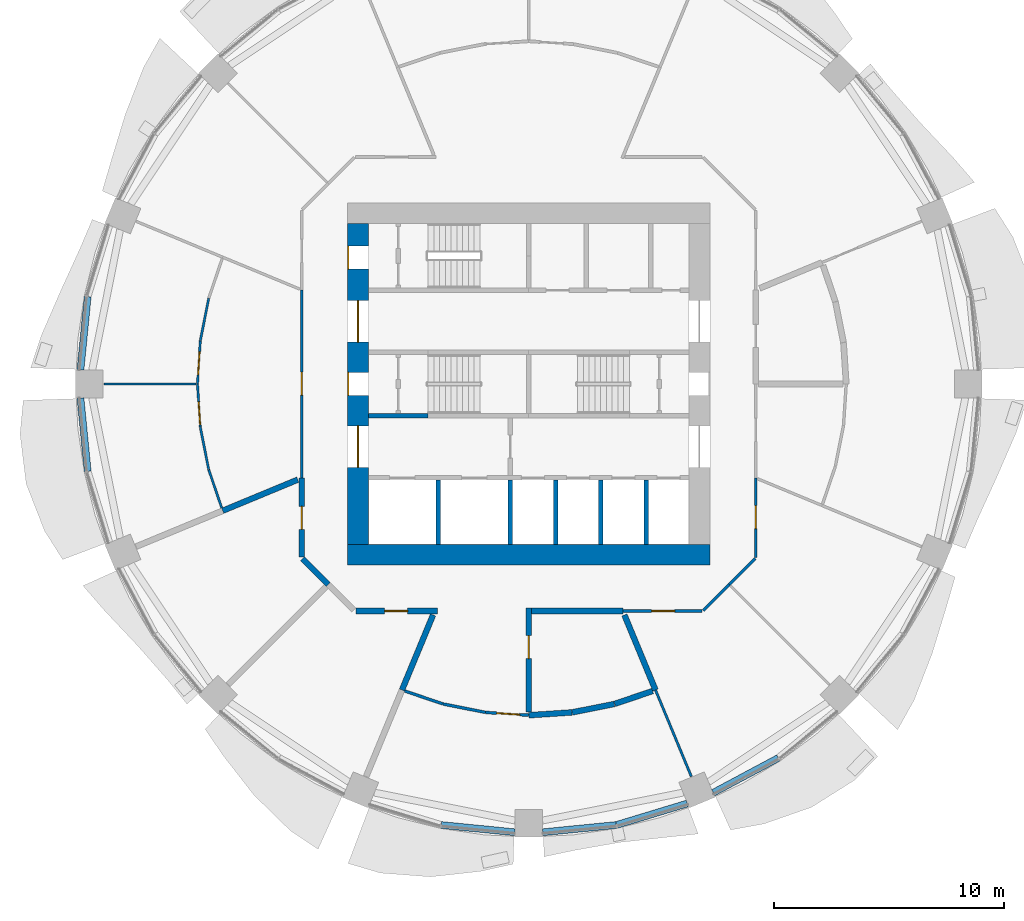
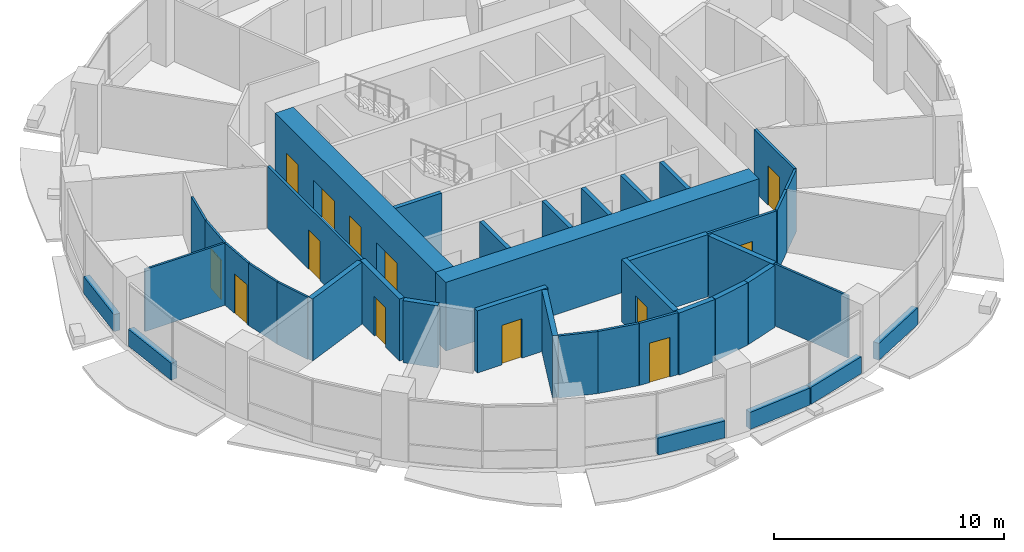
# One storey, part 8 of 15: 40 walls, 13 doors, 13 openings.
"""IFC4 building model written with IfcOpenShell, lengths in metres."""

from ifc_helpers import new_model, si_unit, direction, frame, frame_2d, origin, place, context, subcontext, project, spatial, rectangle, extrude, material, layer, layer_set, type_object, element, fill, save


model = new_model("IFC4")

# Units and contexts
model_context = context("Model", 3, precision=1e-05, world=origin(), true_north=direction((0.0, 1.0)))
body_context = subcontext(model_context, "Body", "Model", "MODEL_VIEW")
ifc_project = project(units=[si_unit("LENGTHUNIT", "METRE"), si_unit("AREAUNIT", "SQUARE_METRE"), si_unit("VOLUMEUNIT", "CUBIC_METRE"), si_unit("PLANEANGLEUNIT", "RADIAN"), si_unit("MASSUNIT", "GRAM", prefix="KILO")], contexts=[model_context])

# Site, building, storey
site_placement = place(None, origin())
site = spatial("IfcSite", under=ifc_project, at=site_placement, CompositionType="ELEMENT")
building_placement = place(site_placement, origin())
building = spatial("IfcBuilding", under=site, at=building_placement, Name="Polderwave Tower", CompositionType="ELEMENT")
storey_placement = place(building_placement, frame((0.0, 0.0, 44.449951171875)))
storey = spatial("IfcBuildingStorey", under=building, at=storey_placement, Name="L11", CompositionType="ELEMENT", Elevation=44.449951171875)

# Wall
ifc_material_1 = material(Name="Concrete C80/95", Category="concrete")
ifc_layer_1 = layer(ifc_material_1, 0.89990234375)
ifc_layer_set_1 = layer_set([ifc_layer_1], Name="CORE WALL 900 C80/95")
wall_type_1 = type_object("IfcWallType", Name="CORE WALL 900 C80/95", PredefinedType="SHEAR", material=ifc_layer_set_1)
wall_1_placement = place(storey_placement, frame((-7.8740234375, -7.424072265625, 0.0), z_axis=(0.0, 0.0, 1.0), x_axis=(1.0, 0.0, 0.0)))
element("IfcWall", 1, at=wall_1_placement, inside=storey, type_object=wall_type_1, Name="ST-CORE-L11-S", PredefinedType="SHEAR", context=body_context, shape_type="SweptSolid", body=[
    extrude(rectangle(XDim=15.748046875, YDim=0.89990234375, at=frame_2d((7.8740234375, 0.0))), origin(), (0.0, 0.0, 1.0), 3.650146484375),
])

# Wall, openings, doors
wall_2_placement = place(storey_placement, frame((-7.424072265625, -6.97412109375, 0.0), z_axis=(0.0, 0.0, 1.0), x_axis=(0.0, 1.0, 0.0)))
wall_2 = element("IfcWall", 2, at=wall_2_placement, inside=storey, type_object=wall_type_1, Name="ST-CORE-L11-W", PredefinedType="SHEAR", context=body_context, shape_type="SweptSolid", body=[
    extrude(rectangle(XDim=13.9482421875, YDim=0.89990234375, at=frame_2d((6.97412109375, 0.0))), origin(), (0.0, 0.0, 1.0), 3.650146484375),
])
opening_1_placement = place(wall_2_placement, frame((6.47412109375, 0.0, 0.0)))
opening_1 = element("IfcOpeningElement", 3, at=opening_1_placement, cuts=wall_2, Name="Opening L11-D17", PredefinedType="OPENING", context=body_context, shape_type="SweptSolid", body=[
    extrude(rectangle(XDim=1.0, YDim=2.10009765625, at=frame_2d((0.5, 1.050048828125))), frame((0.0, 0.4599609375, 0.0), z_axis=(0.0, -1.0, 0.0), x_axis=(1.0, 0.0, 0.0)), (0.0, 0.0, 1.0), 0.919921875),
])
opening_2_placement = place(wall_2_placement, frame((3.349609375, 0.0, 0.0)))
opening_2 = element("IfcOpeningElement", 4, at=opening_2_placement, cuts=wall_2, Name="Opening L11-D18", PredefinedType="OPENING", context=body_context, shape_type="SweptSolid", body=[
    extrude(rectangle(XDim=1.800048828125, YDim=2.10009765625, at=frame_2d((0.89990234375, 1.050048828125))), frame((0.0, 0.4599609375, 0.0), z_axis=(0.0, -1.0, 0.0), x_axis=(1.0, 0.0, 0.0)), (0.0, 0.0, 1.0), 0.919921875),
])
opening_3_placement = place(wall_2_placement, frame((8.798583984375, 0.0, 0.0)))
opening_3 = element("IfcOpeningElement", 5, at=opening_3_placement, cuts=wall_2, Name="Opening L11-D19", PredefinedType="OPENING", context=body_context, shape_type="SweptSolid", body=[
    extrude(rectangle(XDim=1.800048828125, YDim=2.10009765625, at=frame_2d((0.89990234375, 1.050048828125))), frame((0.0, 0.4599609375, 0.0), z_axis=(0.0, -1.0, 0.0), x_axis=(1.0, 0.0, 0.0)), (0.0, 0.0, 1.0), 0.919921875),
])
opening_4_placement = place(wall_2_placement, frame((11.97412109375, 0.0, 0.0)))
opening_4 = element("IfcOpeningElement", 6, at=opening_4_placement, cuts=wall_2, Name="Opening L11-D20", PredefinedType="OPENING", context=body_context, shape_type="SweptSolid", body=[
    extrude(rectangle(XDim=1.0, YDim=2.10009765625, at=frame_2d((0.5, 1.050048828125))), frame((0.0, 0.4599609375, 0.0), z_axis=(0.0, -1.0, 0.0), x_axis=(1.0, 0.0, 0.0)), (0.0, 0.0, 1.0), 0.919921875),
])
ifc_material_2 = material(Name="Steel fire door", Category="steel")
door_type_1 = type_object("IfcDoorType", Name="Lobby entry door pair 1800", OperationType="DOUBLE_DOOR_SINGLE_SWING", PredefinedType="DOOR", material=ifc_material_2)
door_1_placement = place(opening_2_placement, origin())
door_1 = element("IfcDoor", 7, at=door_1_placement, inside=storey, type_object=door_type_1, Name="Fire-fighting lobby entry door", OperationType="DOUBLE_DOOR_SINGLE_SWING", OverallHeight=2.10009765625, OverallWidth=1.800048828125, PredefinedType="DOOR", context=body_context, shape_type="SweptSolid", body=[
    extrude(rectangle(XDim=1.800048828125, YDim=2.10009765625, at=frame_2d((0.89990234375, 1.050048828125))), frame((0.0, 0.02490234375, 0.0), z_axis=(0.0, -1.0, 0.0), x_axis=(1.0, 0.0, 0.0)), (0.0, 0.0, 1.0), 0.050048828125),
])
fill(opening_2, door_1)
door_2_placement = place(opening_3_placement, origin())
door_2 = element("IfcDoor", 8, at=door_2_placement, inside=storey, type_object=door_type_1, Name="North lobby entry door", OperationType="DOUBLE_DOOR_SINGLE_SWING", OverallHeight=2.10009765625, OverallWidth=1.800048828125, PredefinedType="DOOR", context=body_context, shape_type="SweptSolid", body=[
    extrude(rectangle(XDim=1.800048828125, YDim=2.10009765625, at=frame_2d((0.89990234375, 1.050048828125))), frame((0.0, 0.02490234375, 0.0), z_axis=(0.0, -1.0, 0.0), x_axis=(1.0, 0.0, 0.0)), (0.0, 0.0, 1.0), 0.050048828125),
])
fill(opening_3, door_2)
door_type_2 = type_object("IfcDoorType", Name="Stair door 1000", OperationType="NOTDEFINED", PredefinedType="DOOR", material=ifc_material_2)
door_3_placement = place(opening_1_placement, origin())
door_3 = element("IfcDoor", 9, at=door_3_placement, inside=storey, type_object=door_type_2, Name="Stair A entry door", OperationType="SINGLE_SWING_RIGHT", OverallHeight=2.10009765625, OverallWidth=1.0, PredefinedType="DOOR", context=body_context, shape_type="SweptSolid", body=[
    extrude(rectangle(XDim=1.0, YDim=2.10009765625, at=frame_2d((0.5, 1.050048828125))), frame((0.0, 0.4501953125, 0.0), z_axis=(0.0, -1.0, 0.0), x_axis=(1.0, 0.0, 0.0)), (0.0, 0.0, 1.0), 0.050048828125),
])
fill(opening_1, door_3)
door_4_placement = place(opening_4_placement, origin())
door_4 = element("IfcDoor", 10, at=door_4_placement, inside=storey, type_object=door_type_2, Name="Stair C entry door", OperationType="SINGLE_SWING_RIGHT", OverallHeight=2.10009765625, OverallWidth=1.0, PredefinedType="DOOR", context=body_context, shape_type="SweptSolid", body=[
    extrude(rectangle(XDim=1.0, YDim=2.10009765625, at=frame_2d((0.5, 1.050048828125))), frame((0.0, 0.4501953125, 0.0), z_axis=(0.0, -1.0, 0.0), x_axis=(1.0, 0.0, 0.0)), (0.0, 0.0, 1.0), 0.050048828125),
])
fill(opening_4, door_4)

# Walls
ifc_material_3 = material(Name="Concrete C50/60 (board-marked)", Category="concrete")
ifc_layer_2 = layer(ifc_material_3, 0.300048828125)
ifc_layer_set_2 = layer_set([ifc_layer_2], Name="Concrete spandrel upstand C50/60")
wall_type_2 = type_object("IfcWallType", Name="Concrete spandrel upstand C50/60", PredefinedType="SOLIDWALL", material=ifc_layer_set_2)
for number, where, z_axis, x_axis, name in (
    (11, (-19.185546875, 3.801025390625, 0.0), (0.0, 0.0, 1.0), (-0.098002102993, -0.995186207606, 0.0), "Spandrel L11 8b"),
    (12, (-19.49951171875, -0.61279296875, 0.0), (0.0, 0.0, 1.0), (0.098002102993, -0.995186207606, 0.0), "Spandrel L11 9a"),
    (13, (-3.801025390625, -19.185546875, 0.0), (0.0, 0.0, 1.0), (0.995186207606, -0.098002102993, 0.0), "Spandrel L11 12b"),
    (14, (0.61279296875, -19.49951171875, 0.0), (0.0, 0.0, 1.0), (0.995186207606, 0.098002102993, 0.0), "Spandrel L11 13a"),
):
    element("IfcWall", number, at=place(storey_placement, frame(where, z_axis=z_axis, x_axis=x_axis)), inside=storey, type_object=wall_type_2, Name=name, PredefinedType="SOLIDWALL", context=body_context, shape_type="SweptSolid", body=[
        extrude(rectangle(XDim=3.20361328125, YDim=0.300048828125, at=frame_2d((1.601806640625, 0.0))), origin(), (0.0, 0.0, 1.0), 0.900146484375),
    ])
wall_3_placement = place(storey_placement, frame((3.830322265625, -19.1796875, 0.0), z_axis=(0.0, 0.0, 1.0), x_axis=(0.956883225512, 0.290472877795, 0.0)))
element("IfcWall", 15, at=wall_3_placement, inside=storey, type_object=wall_type_2, Name="Spandrel L11 13b", PredefinedType="SOLIDWALL", context=body_context, shape_type="SweptSolid", body=[
    extrude(rectangle(XDim=3.202392578125, YDim=0.300048828125, at=frame_2d((1.60107421875, 0.0))), origin(), (0.0, 0.0, 1.0), 0.900146484375),
])
wall_4_placement = place(storey_placement, frame((8.0283203125, -17.77978515625, 0.0), z_axis=(0.0, 0.0, 1.0), x_axis=(0.881981372243, 0.471284265614, 0.0)))
element("IfcWall", 16, at=wall_4_placement, inside=storey, type_object=wall_type_2, Name="Spandrel L11 14a", PredefinedType="SOLIDWALL", context=body_context, shape_type="SweptSolid", body=[
    extrude(rectangle(XDim=3.20361328125, YDim=0.300048828125, at=frame_2d((1.601806640625, 0.0))), origin(), (0.0, 0.0, 1.0), 0.900146484375),
])
ifc_material_4 = material(Name="Concrete C50/60", Category="concrete")
ifc_layer_3 = layer(ifc_material_4, 0.199951171875)
ifc_layer_set_3 = layer_set([ifc_layer_3], Name="Core web wall 200")
wall_type_3 = type_object("IfcWallType", Name="Core web wall 200", PredefinedType="SHEAR", material=ifc_layer_set_3)
wall_5_placement = place(storey_placement, frame((-6.97412109375, -1.375, 0.0), z_axis=(0.0, 0.0, 1.0), x_axis=(1.0, 0.0, 0.0)))
element("IfcWall", 17, at=wall_5_placement, inside=storey, type_object=wall_type_3, Name="L11 south stair wall 1", PredefinedType="SHEAR", context=body_context, shape_type="SweptSolid", body=[
    extrude(rectangle(XDim=2.60009765625, YDim=0.199951171875, at=frame_2d((1.300048828125, 0.0))), origin(), (0.0, 0.0, 1.0), 3.300048828125),
])
ifc_material_5 = material(Name="Fire-resisting board on steel studs", Category="steel")
ifc_layer_4 = layer(ifc_material_5, 0.125)
ifc_layer_set_4 = layer_set([ifc_layer_4], Name="Corridor wall 125 mm EI 60")
wall_type_4 = type_object("IfcWallType", Name="Corridor wall 125 mm EI 60", PredefinedType="PARTITIONING", material=ifc_layer_set_4)
wall_6_placement = place(storey_placement, frame((9.855712890625, -7.58935546875, 0.0), z_axis=(0.0, 0.0, 1.0), x_axis=(-0.70718294931, -0.707030604857, 0.0)))
element("IfcWall", 18, at=wall_6_placement, inside=storey, type_object=wall_type_4, Name="IN-L11-W004", PredefinedType="PARTITIONING", context=body_context, shape_type="SweptSolid", body=[
    extrude(rectangle(XDim=1.6025390625, YDim=0.125, at=frame_2d((0.80126953125, 0.0))), origin(), (0.0, 0.0, 1.0), 3.300048828125),
])

# Wall, opening, door
wall_7_placement = place(storey_placement, frame((9.8740234375, -4.08984375, 0.0), z_axis=(0.0, 0.0, 1.0), x_axis=(0.0, -1.0, 0.0)))
wall_7 = element("IfcWall", 19, at=wall_7_placement, inside=storey, type_object=wall_type_4, Name="IN-L11-W005", PredefinedType="PARTITIONING", context=body_context, shape_type="SweptSolid", body=[
    extrude(rectangle(XDim=3.455322265625, YDim=0.125, at=frame_2d((1.7275390625, 0.0))), origin(), (0.0, 0.0, 1.0), 3.300048828125),
])
opening_5_placement = place(wall_7_placement, frame((1.199951171875, 0.0, 0.0)))
opening_5 = element("IfcOpeningElement", 20, at=opening_5_placement, cuts=wall_7, Name="Opening L11-D52", PredefinedType="OPENING", context=body_context, shape_type="SweptSolid", body=[
    extrude(rectangle(XDim=1.0, YDim=2.10009765625, at=frame_2d((0.5, 1.050048828125))), frame((0.0, 0.072509765625, 0.0), z_axis=(0.0, -1.0, 0.0), x_axis=(1.0, 0.0, 0.0)), (0.0, 0.0, 1.0), 0.14501953125),
])
ifc_material_6 = material(Name="Timber fire door leaf", Category="wood")
door_type_3 = type_object("IfcDoorType", Name="Fire door FD30S 1000 x 2100", OperationType="NOTDEFINED", PredefinedType="DOOR", material=ifc_material_6)
door_5_placement = place(opening_5_placement, origin())
door_5 = element("IfcDoor", 21, at=door_5_placement, inside=storey, type_object=door_type_3, Name="Door L11-D52", OperationType="SINGLE_SWING_LEFT", OverallHeight=2.10009765625, OverallWidth=1.0, PredefinedType="DOOR", context=body_context, shape_type="SweptSolid", body=[
    extrude(rectangle(XDim=1.0, YDim=2.10009765625, at=frame_2d((0.5, 1.050048828125))), frame((0.0, 0.02490234375, 0.0), z_axis=(0.0, -1.0, 0.0), x_axis=(1.0, 0.0, 0.0)), (0.0, 0.0, 1.0), 0.050048828125),
])
fill(opening_5, door_5)

wall_8_placement = place(storey_placement, frame((-9.8740234375, -4.08984375, 0.0), z_axis=(0.0, 0.0, 1.0), x_axis=(0.0, 1.0, 0.0)))
wall_8 = element("IfcWall", 22, at=wall_8_placement, inside=storey, type_object=wall_type_4, Name="IN-L11-W013", PredefinedType="PARTITIONING", context=body_context, shape_type="SweptSolid", body=[
    extrude(rectangle(XDim=8.1796875, YDim=0.125, at=frame_2d((4.08984375, 0.0))), origin(), (0.0, 0.0, 1.0), 3.300048828125),
])
opening_6_placement = place(wall_8_placement, frame((3.60009765625, 0.0, 0.0)))
opening_6 = element("IfcOpeningElement", 23, at=opening_6_placement, cuts=wall_8, Name="Opening L11-D56", PredefinedType="OPENING", context=body_context, shape_type="SweptSolid", body=[
    extrude(rectangle(XDim=1.0, YDim=2.10009765625, at=frame_2d((0.5, 1.050048828125))), frame((0.0, 0.072509765625, 0.0), z_axis=(0.0, -1.0, 0.0), x_axis=(1.0, 0.0, 0.0)), (0.0, 0.0, 1.0), 0.14501953125),
])
door_6_placement = place(opening_6_placement, origin())
door_6 = element("IfcDoor", 24, at=door_6_placement, inside=storey, type_object=door_type_3, Name="Door L11-D56", OperationType="SINGLE_SWING_RIGHT", OverallHeight=2.10009765625, OverallWidth=1.0, PredefinedType="DOOR", context=body_context, shape_type="SweptSolid", body=[
    extrude(rectangle(XDim=1.0, YDim=2.10009765625, at=frame_2d((0.5, 1.050048828125))), frame((0.0, 0.02490234375, 0.0), z_axis=(0.0, -1.0, 0.0), x_axis=(1.0, 0.0, 0.0)), (0.0, 0.0, 1.0), 0.050048828125),
])
fill(opening_6, door_6)

wall_9_placement = place(storey_placement, frame((7.545166015625, -9.8740234375, 0.0), z_axis=(0.0, 0.0, 1.0), x_axis=(-1.0, 0.0, 0.0)))
wall_9 = element("IfcWall", 25, at=wall_9_placement, inside=storey, type_object=wall_type_4, Name="IN-L11-W019", PredefinedType="PARTITIONING", context=body_context, shape_type="SweptSolid", body=[
    extrude(rectangle(XDim=3.455322265625, YDim=0.125, at=frame_2d((1.7275390625, 0.0))), origin(), (0.0, 0.0, 1.0), 3.300048828125),
])
opening_7_placement = place(wall_9_placement, frame((1.199951171875, 0.0, 0.0)))
opening_7 = element("IfcOpeningElement", 26, at=opening_7_placement, cuts=wall_9, Name="Opening L11-D59", PredefinedType="OPENING", context=body_context, shape_type="SweptSolid", body=[
    extrude(rectangle(XDim=1.0, YDim=2.10009765625, at=frame_2d((0.5, 1.050048828125))), frame((0.0, 0.072509765625, 0.0), z_axis=(0.0, -1.0, 0.0), x_axis=(1.0, 0.0, 0.0)), (0.0, 0.0, 1.0), 0.14501953125),
])
door_7_placement = place(opening_7_placement, origin())
door_7 = element("IfcDoor", 27, at=door_7_placement, inside=storey, type_object=door_type_3, Name="Door L11-D59", OperationType="SINGLE_SWING_LEFT", OverallHeight=2.10009765625, OverallWidth=1.0, PredefinedType="DOOR", context=body_context, shape_type="SweptSolid", body=[
    extrude(rectangle(XDim=1.0, YDim=2.10009765625, at=frame_2d((0.5, 1.050048828125))), frame((0.0, 0.02490234375, 0.0), z_axis=(0.0, -1.0, 0.0), x_axis=(1.0, 0.0, 0.0)), (0.0, 0.0, 1.0), 0.050048828125),
])
fill(opening_7, door_7)

# Walls
wall_10_placement = place(storey_placement, frame((8.722412109375, -8.722412109375, 0.0), z_axis=(0.0, 0.0, 1.0), x_axis=(-0.707030604857, -0.70718294931, 0.0)))
element("IfcWall", 28, at=wall_10_placement, inside=storey, type_object=wall_type_4, Name="IN-L11-W020", PredefinedType="PARTITIONING", context=body_context, shape_type="SweptSolid", body=[
    extrude(rectangle(XDim=1.6025390625, YDim=0.125, at=frame_2d((0.80126953125, 0.0))), origin(), (0.0, 0.0, 1.0), 3.300048828125),
])
wall_11_placement = place(storey_placement, frame((-3.7333984375, -13.917724609375, 0.0), z_axis=(0.0, 0.0, 1.0), x_axis=(-0.946926428718, 0.321450367234, 0.0)))
element("IfcWall", 29, at=wall_11_placement, inside=storey, type_object=wall_type_4, Name="IN-L11-W057", PredefinedType="PARTITIONING", context=body_context, shape_type="SweptSolid", body=[
    extrude(rectangle(XDim=1.75146484375, YDim=0.125, at=frame_2d((0.875732421875, 0.0))), origin(), (0.0, 0.0, 1.0), 3.300048828125),
])
wall_12_placement = place(storey_placement, frame((-1.885009765625, -14.285888671875, 0.0), z_axis=(0.0, 0.0, 1.0), x_axis=(-0.980800221705, 0.19501519198, 0.0)))
element("IfcWall", 30, at=wall_12_placement, inside=storey, type_object=wall_type_4, Name="IN-L11-W058", PredefinedType="PARTITIONING", context=body_context, shape_type="SweptSolid", body=[
    extrude(rectangle(XDim=1.876708984375, YDim=0.125, at=frame_2d((0.9384765625, 0.0))), origin(), (0.0, 0.0, 1.0), 3.300048828125),
])

# Wall, opening, door
wall_13_placement = place(storey_placement, frame((0.0, -14.409912109375, 0.0), z_axis=(0.0, 0.0, 1.0), x_axis=(-0.997865971163, 0.065295509756, 0.0)))
wall_13 = element("IfcWall", 31, at=wall_13_placement, inside=storey, type_object=wall_type_4, Name="IN-L11-W059", PredefinedType="PARTITIONING", context=body_context, shape_type="SweptSolid", body=[
    extrude(rectangle(XDim=1.880615234375, YDim=0.125, at=frame_2d((0.9404296875, 0.0))), origin(), (0.0, 0.0, 1.0), 3.300048828125),
])
opening_8_placement = place(wall_13_placement, frame((0.39990234375, 0.0, 0.0)))
opening_8 = element("IfcOpeningElement", 32, at=opening_8_placement, cuts=wall_13, Name="Opening L11-D65", PredefinedType="OPENING", context=body_context, shape_type="SweptSolid", body=[
    extrude(rectangle(XDim=1.0, YDim=2.10009765625, at=frame_2d((0.5, 1.050048828125))), frame((0.0, 0.072509765625, 0.0), z_axis=(0.0, -1.0, 0.0), x_axis=(1.0, 0.0, 0.0)), (0.0, 0.0, 1.0), 0.14501953125),
])
door_8_placement = place(opening_8_placement, origin())
door_8 = element("IfcDoor", 33, at=door_8_placement, inside=storey, type_object=door_type_3, Name="Door L11-D65", OperationType="SINGLE_SWING_LEFT", OverallHeight=2.10009765625, OverallWidth=1.0, PredefinedType="DOOR", context=body_context, shape_type="SweptSolid", body=[
    extrude(rectangle(XDim=1.0, YDim=2.10009765625, at=frame_2d((0.5, 1.050048828125))), frame((0.0, 0.02490234375, 0.0), z_axis=(0.0, -1.0, 0.0), x_axis=(1.0, 0.0, 0.0)), (0.0, 0.0, 1.0), 0.050048828125),
])
fill(opening_8, door_8)

ifc_material_7 = material(Name="Plasterboard on steel studs", Category="steel")
ifc_layer_5 = layer(ifc_material_7, 0.10009765625)
ifc_layer_set_5 = layer_set([ifc_layer_5], Name="Partition 100 mm plasterboard on steel studs")
wall_type_5 = type_object("IfcWallType", Name="Partition 100 mm plasterboard on steel studs", PredefinedType="PARTITIONING", material=ifc_layer_set_5)
wall_14_placement = place(storey_placement, frame((-14.409912109375, 0.0, 0.0), z_axis=(0.0, 0.0, 1.0), x_axis=(0.065390885675, 0.997859725648, 0.0)))
wall_14 = element("IfcWall", 34, at=wall_14_placement, inside=storey, type_object=wall_type_5, Name="IN-L11-W045", PredefinedType="PARTITIONING", context=body_context, shape_type="SweptSolid", body=[
    extrude(rectangle(XDim=1.881591796875, YDim=0.10009765625, at=frame_2d((0.94091796875, 0.0))), origin(), (0.0, 0.0, 1.0), 3.300048828125),
])
opening_9_placement = place(wall_14_placement, frame((0.39990234375, 0.0, 0.0)))
opening_9 = element("IfcOpeningElement", 35, at=opening_9_placement, cuts=wall_14, Name="Opening L11-D63", PredefinedType="OPENING", context=body_context, shape_type="SweptSolid", body=[
    extrude(rectangle(XDim=1.0, YDim=2.10009765625, at=frame_2d((0.5, 1.050048828125))), frame((0.0, 0.06005859375, 0.0), z_axis=(0.0, -1.0, 0.0), x_axis=(1.0, 0.0, 0.0)), (0.0, 0.0, 1.0), 0.1201171875),
])
ifc_material_8 = material(Name="Timber veneer door leaf", Category="wood")
door_type_4 = type_object("IfcDoorType", Name="Single door 1000 x 2100", OperationType="NOTDEFINED", PredefinedType="DOOR", material=ifc_material_8)
door_9_placement = place(opening_9_placement, origin())
door_9 = element("IfcDoor", 36, at=door_9_placement, inside=storey, type_object=door_type_4, Name="Door L11-D63", OperationType="SINGLE_SWING_LEFT", OverallHeight=2.10009765625, OverallWidth=1.0, PredefinedType="DOOR", context=body_context, shape_type="SweptSolid", body=[
    extrude(rectangle(XDim=1.0, YDim=2.10009765625, at=frame_2d((0.5, 1.050048828125))), frame((0.0, 0.02490234375, 0.0), z_axis=(0.0, -1.0, 0.0), x_axis=(1.0, 0.0, 0.0)), (0.0, 0.0, 1.0), 0.050048828125),
])
fill(opening_9, door_9)

# Walls
wall_15_placement = place(storey_placement, frame((-13.919677734375, 3.726318359375, 0.0), z_axis=(0.0, 0.0, 1.0), x_axis=(-0.195091231684, -0.980785099459, 0.0)))
element("IfcWall", 37, at=wall_15_placement, inside=storey, type_object=wall_type_5, Name="IN-L11-W046", PredefinedType="PARTITIONING", context=body_context, shape_type="SweptSolid", body=[
    extrude(rectangle(XDim=1.87841796875, YDim=0.10009765625, at=frame_2d((0.939208984375, 0.0))), origin(), (0.0, 0.0, 1.0), 3.300048828125),
])
wall_16_placement = place(storey_placement, frame((-14.46337890625, 0.0, 0.0), z_axis=(0.0, 0.0, 1.0), x_axis=(-1.0, 0.0, 0.0)))
element("IfcWall", 38, at=wall_16_placement, inside=storey, type_object=wall_type_5, Name="IN-L11-W048", PredefinedType="PARTITIONING", context=body_context, shape_type="SweptSolid", body=[
    extrude(rectangle(XDim=4.0166015625, YDim=0.10009765625, at=frame_2d((2.00830078125, 0.0))), origin(), (0.0, 0.0, 1.0), 3.300048828125),
])

# Wall, opening, door
wall_17_placement = place(storey_placement, frame((-14.286865234375, -1.877685546875, 0.0), z_axis=(0.0, 0.0, 1.0), x_axis=(-0.065390885675, 0.997859725648, 0.0)))
wall_17 = element("IfcWall", 39, at=wall_17_placement, inside=storey, type_object=wall_type_5, Name="IN-L11-W049", PredefinedType="PARTITIONING", context=body_context, shape_type="SweptSolid", body=[
    extrude(rectangle(XDim=1.881591796875, YDim=0.10009765625, at=frame_2d((0.94091796875, 0.0))), origin(), (0.0, 0.0, 1.0), 3.300048828125),
])
opening_10_placement = place(wall_17_placement, frame((0.10009765625, 0.0, 0.0)))
opening_10 = element("IfcOpeningElement", 40, at=opening_10_placement, cuts=wall_17, Name="Opening L11-D64", PredefinedType="OPENING", context=body_context, shape_type="SweptSolid", body=[
    extrude(rectangle(XDim=1.0, YDim=2.10009765625, at=frame_2d((0.5, 1.050048828125))), frame((0.0, 0.06005859375, 0.0), z_axis=(0.0, -1.0, 0.0), x_axis=(1.0, 0.0, 0.0)), (0.0, 0.0, 1.0), 0.1201171875),
])
door_10_placement = place(opening_10_placement, origin())
door_10 = element("IfcDoor", 41, at=door_10_placement, inside=storey, type_object=door_type_4, Name="Door L11-D64", OperationType="SINGLE_SWING_LEFT", OverallHeight=2.10009765625, OverallWidth=1.0, PredefinedType="DOOR", context=body_context, shape_type="SweptSolid", body=[
    extrude(rectangle(XDim=1.0, YDim=2.10009765625, at=frame_2d((0.5, 1.050048828125))), frame((0.0, 0.02490234375, 0.0), z_axis=(0.0, -1.0, 0.0), x_axis=(1.0, 0.0, 0.0)), (0.0, 0.0, 1.0), 0.050048828125),
])
fill(opening_10, door_10)

# Walls
wall_18_placement = place(storey_placement, frame((-13.919677734375, -3.726318359375, 0.0), z_axis=(0.0, 0.0, 1.0), x_axis=(-0.195091231684, 0.980785099459, 0.0)))
element("IfcWall", 42, at=wall_18_placement, inside=storey, type_object=wall_type_5, Name="IN-L11-W050", PredefinedType="PARTITIONING", context=body_context, shape_type="SweptSolid", body=[
    extrude(rectangle(XDim=1.87841796875, YDim=0.10009765625, at=frame_2d((0.939208984375, 0.0))), origin(), (0.0, 0.0, 1.0), 3.300048828125),
])
wall_19_placement = place(storey_placement, frame((-13.3544921875, -5.392578125, 0.0), z_axis=(0.0, 0.0, 1.0), x_axis=(-0.321445771201, 0.946927988908, 0.0)))
element("IfcWall", 43, at=wall_19_placement, inside=storey, type_object=wall_type_5, Name="IN-L11-W051", PredefinedType="PARTITIONING", context=body_context, shape_type="SweptSolid", body=[
    extrude(rectangle(XDim=1.7529296875, YDim=0.10009765625, at=frame_2d((0.87646484375, 0.0))), origin(), (0.0, 0.0, 1.0), 3.300048828125),
])
ifc_material_9 = material(Name="Moisture-resistant board on steel studs, tiled", Category="steel")
ifc_layer_6 = layer(ifc_material_9, 0.10498046875)
ifc_layer_set_6 = layer_set([ifc_layer_6], Name="Partition 105 mm wet room board and tile")
wall_type_6 = type_object("IfcWallType", Name="Partition 105 mm wet room board and tile", PredefinedType="PARTITIONING", material=ifc_layer_set_6)
wall_20_placement = place(storey_placement, frame((5.514404296875, -13.31298828125, 0.0), z_axis=(0.0, 0.0, 1.0), x_axis=(0.382697907061, -0.923873536763, 0.0)))
element("IfcWall", 44, at=wall_20_placement, inside=storey, type_object=wall_type_6, Name="IN-L11-W064", PredefinedType="PARTITIONING", context=body_context, shape_type="SweptSolid", body=[
    extrude(rectangle(XDim=4.070068359375, YDim=0.10498046875, at=frame_2d((2.03515625, 0.0))), origin(), (0.0, 0.0, 1.0), 3.300048828125),
])

# Wall, opening, door
ifc_material_10 = material(Name="Fire-resisting board on steel studs, mineral wool", Category="steel")
ifc_layer_7 = layer(ifc_material_10, 0.25)
ifc_layer_set_7 = layer_set([ifc_layer_7], Name="Plant room wall 250 mm EI 120")
wall_type_7 = type_object("IfcWallType", Name="Plant room wall 250 mm EI 120", PredefinedType="PARTITIONING", material=ifc_layer_set_7)
wall_21_placement = place(storey_placement, frame((-9.8740234375, -7.519287109375, 0.0), z_axis=(0.0, 0.0, 1.0), x_axis=(0.0, 1.0, 0.0)))
wall_21 = element("IfcWall", 45, at=wall_21_placement, inside=storey, type_object=wall_type_7, Name="IN-L11-W014", PredefinedType="PARTITIONING", context=body_context, shape_type="SweptSolid", body=[
    extrude(rectangle(XDim=3.429443359375, YDim=0.25, at=frame_2d((1.71484375, 0.0))), origin(), (0.0, 0.0, 1.0), 3.300048828125),
])
opening_11_placement = place(wall_21_placement, frame((1.199951171875, 0.0, 0.0)))
opening_11 = element("IfcOpeningElement", 46, at=opening_11_placement, cuts=wall_21, Name="Opening L11-D57", PredefinedType="OPENING", context=body_context, shape_type="SweptSolid", body=[
    extrude(rectangle(XDim=1.0, YDim=2.10009765625, at=frame_2d((0.5, 1.050048828125))), frame((0.0, 0.135009765625, 0.0), z_axis=(0.0, -1.0, 0.0), x_axis=(1.0, 0.0, 0.0)), (0.0, 0.0, 1.0), 0.27001953125),
])
ifc_material_11 = material(Name="Steel plant door leaf", Category="steel")
door_type_5 = type_object("IfcDoorType", Name="Plant door FD60 1000 x 2100 steel", OperationType="NOTDEFINED", PredefinedType="DOOR", material=ifc_material_11)
door_11_placement = place(opening_11_placement, origin())
door_11 = element("IfcDoor", 47, at=door_11_placement, inside=storey, type_object=door_type_5, Name="Door L11-D57", OperationType="SINGLE_SWING_LEFT", OverallHeight=2.10009765625, OverallWidth=1.0, PredefinedType="DOOR", context=body_context, shape_type="SweptSolid", body=[
    extrude(rectangle(XDim=1.0, YDim=2.10009765625, at=frame_2d((0.5, 1.050048828125))), frame((0.0, 0.02490234375, 0.0), z_axis=(0.0, -1.0, 0.0), x_axis=(1.0, 0.0, 0.0)), (0.0, 0.0, 1.0), 0.050048828125),
])
fill(opening_11, door_11)

# Wall
wall_22_placement = place(storey_placement, frame((-8.722412109375, -8.722412109375, 0.0), z_axis=(0.0, 0.0, 1.0), x_axis=(-0.707184200224, 0.707029353672, 0.0)))
element("IfcWall", 48, at=wall_22_placement, inside=storey, type_object=wall_type_7, Name="IN-L11-W015", PredefinedType="PARTITIONING", context=body_context, shape_type="SweptSolid", body=[
    extrude(rectangle(XDim=1.57666015625, YDim=0.25, at=frame_2d((0.788330078125, 0.0))), origin(), (0.0, 0.0, 1.0), 3.300048828125),
])

# Wall, opening, door
wall_23_placement = place(storey_placement, frame((-3.96484375, -9.8740234375, 0.0), z_axis=(0.0, 0.0, 1.0), x_axis=(-1.0, 0.0, 0.0)))
wall_23 = element("IfcWall", 49, at=wall_23_placement, inside=storey, type_object=wall_type_7, Name="IN-L11-W017", PredefinedType="PARTITIONING", context=body_context, shape_type="SweptSolid", body=[
    extrude(rectangle(XDim=3.554443359375, YDim=0.25, at=frame_2d((1.77734375, 0.0))), origin(), (0.0, 0.0, 1.0), 3.300048828125),
])
opening_12_placement = place(wall_23_placement, frame((1.300048828125, 0.0, 0.0)))
opening_12 = element("IfcOpeningElement", 50, at=opening_12_placement, cuts=wall_23, Name="Opening L11-D58", PredefinedType="OPENING", context=body_context, shape_type="SweptSolid", body=[
    extrude(rectangle(XDim=1.0, YDim=2.10009765625, at=frame_2d((0.5, 1.050048828125))), frame((0.0, 0.135009765625, 0.0), z_axis=(0.0, -1.0, 0.0), x_axis=(1.0, 0.0, 0.0)), (0.0, 0.0, 1.0), 0.27001953125),
])
door_12_placement = place(opening_12_placement, origin())
door_12 = element("IfcDoor", 51, at=door_12_placement, inside=storey, type_object=door_type_5, Name="Door L11-D58", OperationType="SINGLE_SWING_RIGHT", OverallHeight=2.10009765625, OverallWidth=1.0, PredefinedType="DOOR", context=body_context, shape_type="SweptSolid", body=[
    extrude(rectangle(XDim=1.0, YDim=2.10009765625, at=frame_2d((0.5, 1.050048828125))), frame((0.0, 0.02490234375, 0.0), z_axis=(0.0, -1.0, 0.0), x_axis=(1.0, 0.0, 0.0)), (0.0, 0.0, 1.0), 0.050048828125),
])
fill(opening_12, door_12)

# Walls
wall_24_placement = place(storey_placement, frame((4.08984375, -9.8740234375, 0.0), z_axis=(0.0, 0.0, 1.0), x_axis=(-1.0, 0.0, 0.0)))
element("IfcWall", 52, at=wall_24_placement, inside=storey, type_object=wall_type_7, Name="IN-L11-W018", PredefinedType="PARTITIONING", context=body_context, shape_type="SweptSolid", body=[
    extrude(rectangle(XDim=3.96484375, YDim=0.25, at=frame_2d((1.982421875, 0.0))), origin(), (0.0, 0.0, 1.0), 3.300048828125),
])
for number, where, z_axis, x_axis, name in (
    (53, (-10.046875, -4.16162109375, 0.0), (0.0, 0.0, 1.0), (-0.92388805455, -0.382662857696, 0.0), "IN-L11-W052"),
    (54, (-4.16162109375, -10.046875, 0.0), (0.0, 0.0, 1.0), (-0.382662857696, -0.92388805455, 0.0), "IN-L11-W055"),
):
    element("IfcWall", number, at=place(storey_placement, frame(where, z_axis=z_axis, x_axis=x_axis)), inside=storey, type_object=wall_type_7, Name=name, PredefinedType="PARTITIONING", context=body_context, shape_type="SweptSolid", body=[
        extrude(rectangle(XDim=3.53515625, YDim=0.25, at=frame_2d((1.767578125, 0.0))), origin(), (0.0, 0.0, 1.0), 3.300048828125),
    ])

# Wall, opening, door
wall_25_placement = place(storey_placement, frame((0.0, -9.7490234375, 0.0), z_axis=(0.0, 0.0, 1.0), x_axis=(0.0, -1.0, 0.0)))
wall_25 = element("IfcWall", 55, at=wall_25_placement, inside=storey, type_object=wall_type_7, Name="IN-L11-W060", PredefinedType="PARTITIONING", context=body_context, shape_type="SweptSolid", body=[
    extrude(rectangle(XDim=4.527587890625, YDim=0.25, at=frame_2d((2.263671875, 0.0))), origin(), (0.0, 0.0, 1.0), 3.300048828125),
])
opening_13_placement = place(wall_25_placement, frame((1.199951171875, 0.0, 0.0)))
opening_13 = element("IfcOpeningElement", 56, at=opening_13_placement, cuts=wall_25, Name="Opening L11-D66", PredefinedType="OPENING", context=body_context, shape_type="SweptSolid", body=[
    extrude(rectangle(XDim=1.0, YDim=2.10009765625, at=frame_2d((0.5, 1.050048828125))), frame((0.0, 0.135009765625, 0.0), z_axis=(0.0, -1.0, 0.0), x_axis=(1.0, 0.0, 0.0)), (0.0, 0.0, 1.0), 0.27001953125),
])
door_13_placement = place(opening_13_placement, origin())
door_13 = element("IfcDoor", 57, at=door_13_placement, inside=storey, type_object=door_type_5, Name="Door L11-D66", OperationType="SINGLE_SWING_LEFT", OverallHeight=2.10009765625, OverallWidth=1.0, PredefinedType="DOOR", context=body_context, shape_type="SweptSolid", body=[
    extrude(rectangle(XDim=1.0, YDim=2.10009765625, at=frame_2d((0.5, 1.050048828125))), frame((0.0, 0.02490234375, 0.0), z_axis=(0.0, -1.0, 0.0), x_axis=(1.0, 0.0, 0.0)), (0.0, 0.0, 1.0), 0.050048828125),
])
fill(opening_13, door_13)

# Walls
wall_26_placement = place(storey_placement, frame((0.0, -14.409912109375, 0.0), z_axis=(0.0, 0.0, 1.0), x_axis=(0.997857088285, 0.065431119203, 0.0)))
element("IfcWall", 58, at=wall_26_placement, inside=storey, type_object=wall_type_7, Name="IN-L11-W061", PredefinedType="PARTITIONING", context=body_context, shape_type="SweptSolid", body=[
    extrude(rectangle(XDim=1.876708984375, YDim=0.25, at=frame_2d((0.9384765625, 0.0))), origin(), (0.0, 0.0, 1.0), 3.300048828125),
])
wall_27_placement = place(storey_placement, frame((1.888916015625, -14.28515625, 0.0), z_axis=(0.0, 0.0, 1.0), x_axis=(0.980791158232, 0.195060769847, 0.0)))
element("IfcWall", 59, at=wall_27_placement, inside=storey, type_object=wall_type_7, Name="IN-L11-W062", PredefinedType="PARTITIONING", context=body_context, shape_type="SweptSolid", body=[
    extrude(rectangle(XDim=1.86865234375, YDim=0.25, at=frame_2d((0.934326171875, 0.0))), origin(), (0.0, 0.0, 1.0), 3.300048828125),
])
wall_28_placement = place(storey_placement, frame((3.7373046875, -13.91650390625, 0.0), z_axis=(0.0, 0.0, 1.0), x_axis=(0.946889634804, 0.321558734138, 0.0)))
element("IfcWall", 60, at=wall_28_placement, inside=storey, type_object=wall_type_7, Name="IN-L11-W063", PredefinedType="PARTITIONING", context=body_context, shape_type="SweptSolid", body=[
    extrude(rectangle(XDim=1.7431640625, YDim=0.25, at=frame_2d((0.87158203125, 0.0))), origin(), (0.0, 0.0, 1.0), 3.300048828125),
])
wall_29_placement = place(storey_placement, frame((4.16162109375, -10.046875, 0.0), z_axis=(0.0, 0.0, 1.0), x_axis=(0.382662857696, -0.92388805455, 0.0)))
element("IfcWall", 61, at=wall_29_placement, inside=storey, type_object=wall_type_7, Name="IN-L11-W065", PredefinedType="PARTITIONING", context=body_context, shape_type="SweptSolid", body=[
    extrude(rectangle(XDim=3.53515625, YDim=0.25, at=frame_2d((1.767578125, 0.0))), origin(), (0.0, 0.0, 1.0), 3.300048828125),
])
ifc_material_12 = material(Name="Gypsum shaft wall system")
ifc_layer_8 = layer(ifc_material_12, 0.199951171875)
ifc_layer_set_8 = layer_set([ifc_layer_8], Name="Shaft wall 200")
wall_type_8 = type_object("IfcWallType", Name="Shaft wall 200", PredefinedType="PARTITIONING", material=ifc_layer_set_8)
for number, where, z_axis, x_axis, name in (
    (62, (-3.93701171875, -6.97412109375, 0.0), (0.0, 0.0, 1.0), (0.0, 1.0, 0.0), "L11 fire-fighting shaft wall 1"),
    (63, (-0.800048828125, -6.97412109375, 0.0), (0.0, 0.0, 1.0), (0.0, 1.0, 0.0), "L11 fire-fighting shaft wall 2"),
    (64, (1.16845703125, -6.97412109375, 0.0), (0.0, 0.0, 1.0), (0.0, 1.0, 0.0), "L11 lift shaft wall 1"),
    (65, (3.136962890625, -6.97412109375, 0.0), (0.0, 0.0, 1.0), (0.0, 1.0, 0.0), "L11 lift shaft wall 2"),
    (66, (5.10546875, -6.97412109375, 0.0), (0.0, 0.0, 1.0), (0.0, 1.0, 0.0), "L11 lift shaft wall 3"),
):
    element("IfcWall", number, at=place(storey_placement, frame(where, z_axis=z_axis, x_axis=x_axis)), inside=storey, type_object=wall_type_8, Name=name, PredefinedType="PARTITIONING", context=body_context, shape_type="SweptSolid", body=[
        extrude(rectangle(XDim=2.800048828125, YDim=0.199951171875, at=frame_2d((1.39990234375, 0.0))), origin(), (0.0, 0.0, 1.0), 3.300048828125),
    ])

save(model, "model.ifc")
